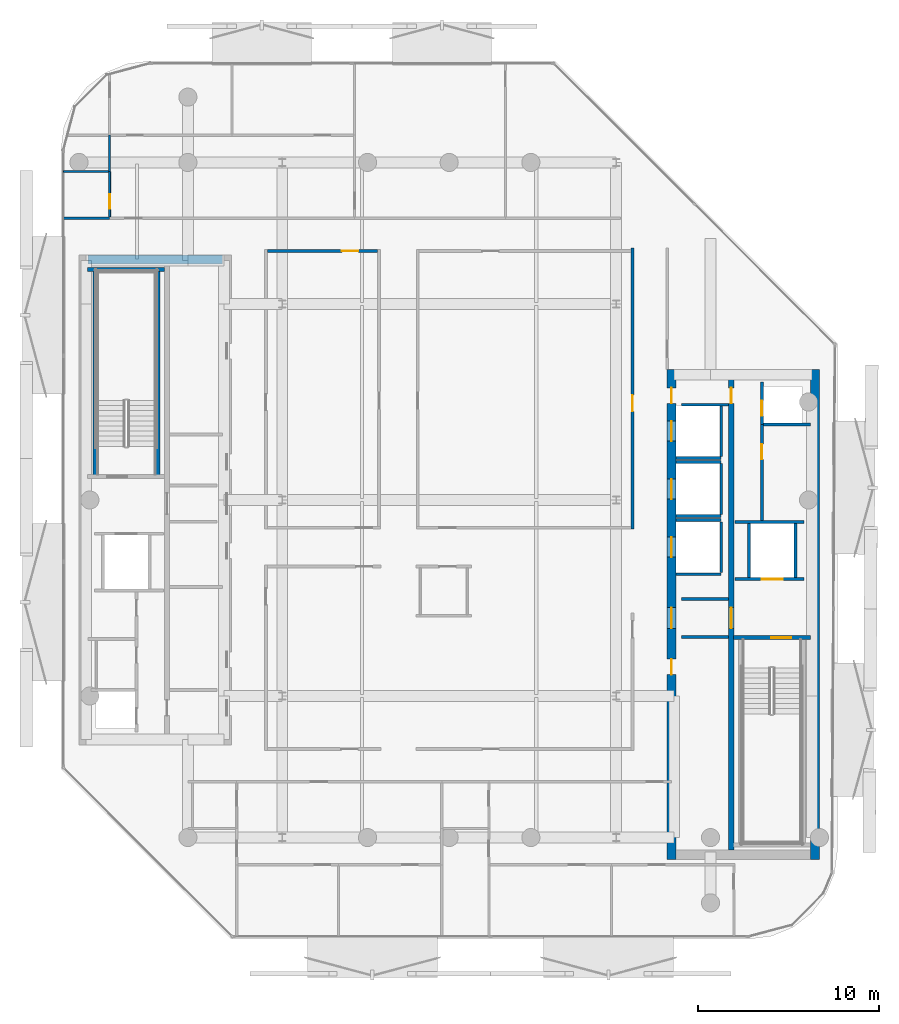
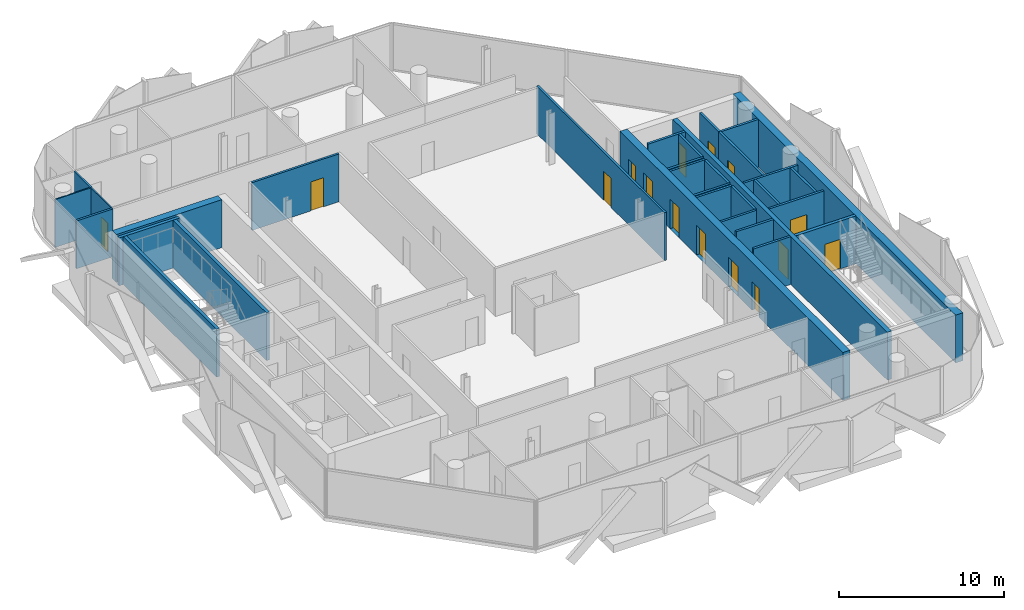
# One storey, part 6 of 16: 32 walls, 15 doors, 15 openings.
"""IFC4 building model written with IfcOpenShell, lengths in metres."""

from ifc_helpers import new_model, si_unit, direction, frame, frame_2d, origin, place, context, subcontext, project, spatial, rectangle, extrude, material, layer, layer_set, type_object, element, fill, save


model = new_model("IFC4")

# Units and contexts
model_context = context("Model", 3, precision=1e-05, world=origin(), true_north=direction((0.0, 1.0)))
body_context = subcontext(model_context, "Body", "Model", "MODEL_VIEW")
ifc_project = project(units=[si_unit("LENGTHUNIT", "METRE"), si_unit("AREAUNIT", "SQUARE_METRE"), si_unit("VOLUMEUNIT", "CUBIC_METRE"), si_unit("PLANEANGLEUNIT", "RADIAN"), si_unit("MASSUNIT", "GRAM", prefix="KILO")], contexts=[model_context])

# Site, building, storey
site_placement = place(None, origin())
site = spatial("IfcSite", under=ifc_project, at=site_placement, CompositionType="ELEMENT")
building_placement = place(site_placement, origin())
building = spatial("IfcBuilding", under=site, at=building_placement, Name="Khairoan Windgate Tower", CompositionType="ELEMENT")
storey_placement = place(building_placement, frame((0.0, 0.0, 311.800048828125)))
storey = spatial("IfcBuildingStorey", under=building, at=storey_placement, Name="L75", CompositionType="ELEMENT", Elevation=311.800048828125)

# Wall
ifc_material_1 = material(Name="Moisture-Resistant Gypsum Partition", Category="gypsum")
ifc_layer_1 = layer(ifc_material_1, 0.10009765625, Name="Moisture-Resistant Gypsum Partition")
ifc_layer_set_1 = layer_set([ifc_layer_1], Name="Moisture-Resistant Gypsum Partition")
wall_type_1 = type_object("IfcWallType", Name="Bathroom Wet-Area Partition Wall", PredefinedType="PARTITIONING", material=ifc_layer_set_1)
wall_1_placement = place(storey_placement, frame((-21.2548828125, 18.10009765625, 0.0), z_axis=(0.0, 0.0, 1.0), x_axis=(1.0, 0.0, 0.0)))
element("IfcWall", 1, at=wall_1_placement, inside=storey, type_object=wall_type_1, Name="L75 Interior Partition 034", PredefinedType="PARTITIONING", context=body_context, shape_type="SweptSolid", body=[
    extrude(rectangle(XDim=2.494873046875, YDim=0.10009765625, at=frame_2d((1.24755859375, 0.0))), origin(), (0.0, 0.0, 1.0), 3.5400390625),
])

# Wall, opening, door
wall_2_placement = place(storey_placement, frame((-18.7099609375, 15.60009765625, 0.0), z_axis=(0.0, 0.0, 1.0), x_axis=(0.0, 1.0, 0.0)))
wall_2 = element("IfcWall", 2, at=wall_2_placement, inside=storey, type_object=wall_type_1, Name="L75 Interior Partition 035", PredefinedType="PARTITIONING", context=body_context, shape_type="SweptSolid", body=[
    extrude(rectangle(XDim=2.5, YDim=0.10009765625, at=frame_2d((1.25, 0.0))), origin(), (0.0, 0.0, 1.0), 3.5400390625),
])
opening_1_placement = place(wall_2_placement, frame((0.4599609375, 0.0, 0.0)))
opening_1 = element("IfcOpeningElement", 3, at=opening_1_placement, cuts=wall_2, Name="Opening ID-BTH", PredefinedType="OPENING", context=body_context, shape_type="SweptSolid", body=[
    extrude(rectangle(XDim=0.800048828125, YDim=2.10009765625, at=frame_2d((0.39990234375, 1.050048828125))), frame((0.0, 0.06005859375, 0.0), z_axis=(0.0, -1.0, 0.0), x_axis=(1.0, 0.0, 0.0)), (0.0, 0.0, 1.0), 0.1201171875),
])
ifc_material_2 = material(Name="Teak Veneer Timber Leaf", Category="wood")
door_type_1 = type_object("IfcDoorType", Name="Internal Bathroom Door ID-BTH 800x2100", OperationType="NOTDEFINED", PredefinedType="DOOR", material=ifc_material_2)
door_1_placement = place(opening_1_placement, origin())
door_1 = element("IfcDoor", 4, at=door_1_placement, inside=storey, type_object=door_type_1, Name="L75 L75-32-L75-34 Door", OperationType="SINGLE_SWING_LEFT", OverallHeight=2.10009765625, OverallWidth=0.800048828125, PredefinedType="DOOR", context=body_context, shape_type="SweptSolid", body=[
    extrude(rectangle(XDim=0.800048828125, YDim=2.10009765625, at=frame_2d((0.39990234375, 1.050048828125))), frame((0.0, 0.02490234375, 0.0), z_axis=(0.0, -1.0, 0.0), x_axis=(1.0, 0.0, 0.0)), (0.0, 0.0, 1.0), 0.050048828125),
])
fill(opening_1, door_1)

# Walls
ifc_material_3 = material(Name="Concrete C40/50", Category="concrete")
ifc_layer_2 = layer(ifc_material_3, 0.159912109375, Name="Concrete C40/50")
ifc_layer_set_2 = layer_set([ifc_layer_2], Name="Concrete C40/50")
wall_type_2 = type_object("IfcWallType", Name="Core and Hoistway Enclosure Wall", PredefinedType="STANDARD", material=ifc_layer_set_2)
wall_3_placement = place(storey_placement, frame((12.5, 2.31005859375, 0.0), z_axis=(0.0, 0.0, 1.0), x_axis=(1.0, 0.0, 0.0)))
element("IfcWall", 5, at=wall_3_placement, inside=storey, type_object=wall_type_2, Name="L75 Lift PL7 Hoistway Divider S", PredefinedType="STANDARD", context=body_context, shape_type="SweptSolid", body=[
    extrude(rectangle(XDim=2.489990234375, YDim=0.159912109375, at=frame_2d((1.2451171875, 0.0))), origin(), (0.0, 0.0, 1.0), 3.5400390625),
])
wall_4_placement = place(storey_placement, frame((14.989990234375, 2.39990234375, 0.0), z_axis=(0.0, 0.0, 1.0), x_axis=(0.0, 1.0, 0.0)))
element("IfcWall", 6, at=wall_4_placement, inside=storey, type_object=wall_type_2, Name="L75 Lift PL7 Hoistway Back Wall", PredefinedType="STANDARD", context=body_context, shape_type="SweptSolid", body=[
    extrude(rectangle(XDim=2.800048828125, YDim=0.159912109375, at=frame_2d((1.39990234375, 0.0))), origin(), (0.0, 0.0, 1.0), 3.5400390625),
])
for number, where, z_axis, x_axis, name in (
    (7, (12.5, -0.889892578125, 0.0), (0.0, 0.0, 1.0), (1.0, 0.0, 0.0), "L75 Lift PL8 Hoistway Divider S"),
    (8, (12.5, 2.090087890625, 0.0), (0.0, 0.0, 1.0), (1.0, 0.0, 0.0), "L75 Lift PL8 Hoistway Divider N"),
):
    element("IfcWall", number, at=place(storey_placement, frame(where, z_axis=z_axis, x_axis=x_axis)), inside=storey, type_object=wall_type_2, Name=name, PredefinedType="STANDARD", context=body_context, shape_type="SweptSolid", body=[
        extrude(rectangle(XDim=2.489990234375, YDim=0.159912109375, at=frame_2d((1.2451171875, 0.0))), origin(), (0.0, 0.0, 1.0), 3.5400390625),
    ])
wall_5_placement = place(storey_placement, frame((14.989990234375, -0.800048828125, 0.0), z_axis=(0.0, 0.0, 1.0), x_axis=(0.0, 1.0, 0.0)))
element("IfcWall", 9, at=wall_5_placement, inside=storey, type_object=wall_type_2, Name="L75 Lift PL8 Hoistway Back Wall", PredefinedType="STANDARD", context=body_context, shape_type="SweptSolid", body=[
    extrude(rectangle(XDim=2.800048828125, YDim=0.159912109375, at=frame_2d((1.39990234375, 0.0))), origin(), (0.0, 0.0, 1.0), 3.5400390625),
])
for number, where, z_axis, x_axis, name in (
    (10, (12.5, -4.090087890625, 0.0), (0.0, 0.0, 1.0), (1.0, 0.0, 0.0), "L75 Lift PL9 Hoistway Divider S"),
    (11, (12.5, -1.110107421875, 0.0), (0.0, 0.0, 1.0), (1.0, 0.0, 0.0), "L75 Lift PL9 Hoistway Divider N"),
):
    element("IfcWall", number, at=place(storey_placement, frame(where, z_axis=z_axis, x_axis=x_axis)), inside=storey, type_object=wall_type_2, Name=name, PredefinedType="STANDARD", context=body_context, shape_type="SweptSolid", body=[
        extrude(rectangle(XDim=2.489990234375, YDim=0.159912109375, at=frame_2d((1.2451171875, 0.0))), origin(), (0.0, 0.0, 1.0), 3.5400390625),
    ])
wall_6_placement = place(storey_placement, frame((14.989990234375, -4.0, 0.0), z_axis=(0.0, 0.0, 1.0), x_axis=(0.0, 1.0, 0.0)))
element("IfcWall", 12, at=wall_6_placement, inside=storey, type_object=wall_type_2, Name="L75 Lift PL9 Hoistway Back Wall", PredefinedType="STANDARD", context=body_context, shape_type="SweptSolid", body=[
    extrude(rectangle(XDim=2.800048828125, YDim=0.159912109375, at=frame_2d((1.39990234375, 0.0))), origin(), (0.0, 0.0, 1.0), 3.5400390625),
])

# Wall, opening, door
wall_7_placement = place(storey_placement, frame((15.75, -4.360107421875, 0.0), z_axis=(0.0, 0.0, 1.0), x_axis=(1.0, 0.0, 0.0)))
wall_7 = element("IfcWall", 13, at=wall_7_placement, inside=storey, type_object=wall_type_2, Name="L75 Core Shaft Wall SW-FL1-L75", PredefinedType="STANDARD", context=body_context, shape_type="SweptSolid", body=[
    extrude(rectangle(XDim=3.800048828125, YDim=0.159912109375, at=frame_2d((1.89990234375, 0.0))), origin(), (0.0, 0.0, 1.0), 3.5400390625),
])
opening_2_placement = place(wall_7_placement, frame((1.469970703125, 0.0, 0.0)))
opening_2 = element("IfcOpeningElement", 14, at=opening_2_placement, cuts=wall_7, Name="Opening LD-FL", PredefinedType="OPENING", context=body_context, shape_type="SweptSolid", body=[
    extrude(rectangle(XDim=1.14990234375, YDim=2.199951171875, at=frame_2d((0.574951171875, 1.10009765625))), frame((0.0, 0.08984375, 0.0), z_axis=(0.0, -1.0, 0.0), x_axis=(1.0, 0.0, 0.0)), (0.0, 0.0, 1.0), 0.179931640625),
])
ifc_material_4 = material(Name="Steel S355", Category="steel")
door_type_2 = type_object("IfcDoorType", Name="Firefighting Lift Sliding Landing Door LD-FL 1150x2200", OperationType="DOUBLE_DOOR_SLIDING", PredefinedType="DOOR", material=ifc_material_4)
door_2_placement = place(opening_2_placement, origin())
door_2 = element("IfcDoor", 15, at=door_2_placement, inside=storey, type_object=door_type_2, Name="L75 Firefighting Lift FL1 Landing Door", OperationType="DOUBLE_DOOR_SLIDING", OverallHeight=2.199951171875, OverallWidth=1.14990234375, PredefinedType="DOOR", context=body_context, shape_type="SweptSolid", body=[
    extrude(rectangle(XDim=1.14990234375, YDim=2.199951171875, at=frame_2d((0.574951171875, 1.10009765625))), frame((0.0, 0.02490234375, 0.0), z_axis=(0.0, -1.0, 0.0), x_axis=(1.0, 0.0, 0.0)), (0.0, 0.0, 1.0), 0.050048828125),
])
fill(opening_2, door_2)

# Walls
wall_8_placement = place(storey_placement, frame((15.75, -1.219970703125, 0.0), z_axis=(0.0, 0.0, 1.0), x_axis=(1.0, 0.0, 0.0)))
element("IfcWall", 16, at=wall_8_placement, inside=storey, type_object=wall_type_2, Name="L75 Core Shaft Wall SW-FL1T-L75", PredefinedType="STANDARD", context=body_context, shape_type="SweptSolid", body=[
    extrude(rectangle(XDim=3.800048828125, YDim=0.159912109375, at=frame_2d((1.89990234375, 0.0))), origin(), (0.0, 0.0, 1.0), 3.5400390625),
])
for number, where, z_axis, x_axis, name in (
    (17, (16.52001953125, -4.280029296875, 0.0), (0.0, 0.0, 1.0), (0.0, 1.0, 0.0), "L75 Core Shaft Wall SW-FL1W-L75"),
    (18, (19.080078125, -4.280029296875, 0.0), (0.0, 0.0, 1.0), (0.0, 1.0, 0.0), "L75 Core Shaft Wall SW-FL1E-L75"),
):
    element("IfcWall", number, at=place(storey_placement, frame(where, z_axis=z_axis, x_axis=x_axis)), inside=storey, type_object=wall_type_2, Name=name, PredefinedType="STANDARD", context=body_context, shape_type="SweptSolid", body=[
        extrude(rectangle(XDim=2.97998046875, YDim=0.159912109375, at=frame_2d((1.489990234375, 0.0))), origin(), (0.0, 0.0, 1.0), 3.5400390625),
    ])
for number, where, z_axis, x_axis, name in (
    (19, (12.800048828125, -5.449951171875, 0.0), (0.0, 0.0, 1.0), (1.0, 0.0, 0.0), "L75 Core Shaft Wall SW-EV1-L75"),
    (20, (12.800048828125, -7.5400390625, 0.0), (0.0, 0.0, 1.0), (1.0, 0.0, 0.0), "L75 Core Shaft Wall SW-EV2-L75"),
    (21, (12.800048828125, 5.25, 0.0), (0.0, 0.0, 1.0), (1.0, 0.0, 0.0), "L75 Core Shaft Wall SW-ESV-L75"),
):
    element("IfcWall", number, at=place(storey_placement, frame(where, z_axis=z_axis, x_axis=x_axis)), inside=storey, type_object=wall_type_2, Name=name, PredefinedType="STANDARD", context=body_context, shape_type="SweptSolid", body=[
        extrude(rectangle(XDim=2.599853515625, YDim=0.159912109375, at=frame_2d((1.2998046875, 0.0))), origin(), (0.0, 0.0, 1.0), 3.5400390625),
    ])
ifc_material_5 = material(Name="Gypsum Stud Partition", Category="gypsum")
ifc_layer_3 = layer(ifc_material_5, 0.1201171875, Name="Gypsum Stud Partition")
ifc_layer_set_3 = layer_set([ifc_layer_3], Name="Gypsum Stud Partition")
wall_type_3 = type_object("IfcWallType", Name="Internal Room Partition Wall", PredefinedType="PARTITIONING", material=ifc_layer_set_3)
wall_9_placement = place(storey_placement, frame((-18.7099609375, 18.10009765625, 0.0), z_axis=(0.0, 0.0, 1.0), x_axis=(0.0, 1.0, 0.0)))
element("IfcWall", 22, at=wall_9_placement, inside=storey, type_object=wall_type_3, Name="L75 Interior Partition 036", PredefinedType="PARTITIONING", context=body_context, shape_type="SweptSolid", body=[
    extrude(rectangle(XDim=2.0, YDim=0.1201171875, at=frame_2d((1.0, 0.0))), origin(), (0.0, 0.0, 1.0), 3.5400390625),
])

# Wall, opening, door
ifc_material_6 = material(Name="Concrete C40/50", Category="concrete")
ifc_layer_4 = layer(ifc_material_6, 0.159912109375, Name="Concrete C40/50")
ifc_layer_set_4 = layer_set([ifc_layer_4], Name="Concrete C40/50")
wall_type_4 = type_object("IfcWallType", Name="Plant and Refuge Compartment Wall", PredefinedType="PARTITIONING", material=ifc_layer_set_4)
wall_10_placement = place(storey_placement, frame((17.22998046875, 4.169921875, 0.0), z_axis=(0.0, 0.0, 1.0), x_axis=(0.0, 1.0, 0.0)))
wall_10 = element("IfcWall", 23, at=wall_10_placement, inside=storey, type_object=wall_type_4, Name="L75 Interior Partition 008", PredefinedType="PARTITIONING", context=body_context, shape_type="SweptSolid", body=[
    extrude(rectangle(XDim=2.320068359375, YDim=0.159912109375, at=frame_2d((1.16015625, 0.0))), origin(), (0.0, 0.0, 1.0), 3.5400390625),
])
opening_3_placement = place(wall_10_placement, frame((0.4599609375, 0.0, 0.0)))
opening_3 = element("IfcOpeningElement", 24, at=opening_3_placement, cuts=wall_10, Name="Opening FD-SRV", PredefinedType="OPENING", context=body_context, shape_type="SweptSolid", body=[
    extrude(rectangle(XDim=0.85009765625, YDim=2.10009765625, at=frame_2d((0.425048828125, 1.050048828125))), frame((0.0, 0.08984375, 0.0), z_axis=(0.0, -1.0, 0.0), x_axis=(1.0, 0.0, 0.0)), (0.0, 0.0, 1.0), 0.179931640625),
])
ifc_material_7 = material(Name="Steel S355", Category="steel")
door_type_3 = type_object("IfcDoorType", Name="Core Service and Riser Fire Door FD-SRV 850x2100", OperationType="NOTDEFINED", PredefinedType="DOOR", material=ifc_material_7)
door_3_placement = place(opening_3_placement, origin())
door_3 = element("IfcDoor", 25, at=door_3_placement, inside=storey, type_object=door_type_3, Name="L75 L75-17-L75-18 Door", OperationType="SINGLE_SWING_LEFT", OverallHeight=2.10009765625, OverallWidth=0.85009765625, PredefinedType="DOOR", context=body_context, shape_type="SweptSolid", body=[
    extrude(rectangle(XDim=0.85009765625, YDim=2.10009765625, at=frame_2d((0.425048828125, 1.050048828125))), frame((0.0, 0.02490234375, 0.0), z_axis=(0.0, -1.0, 0.0), x_axis=(1.0, 0.0, 0.0)), (0.0, 0.0, 1.0), 0.050048828125),
])
fill(opening_3, door_3)

wall_11_placement = place(storey_placement, frame((17.22998046875, -1.139892578125, 0.0), z_axis=(0.0, 0.0, 1.0), x_axis=(0.0, 1.0, 0.0)))
wall_11 = element("IfcWall", 26, at=wall_11_placement, inside=storey, type_object=wall_type_4, Name="L75 Interior Partition 009", PredefinedType="PARTITIONING", context=body_context, shape_type="SweptSolid", body=[
    extrude(rectangle(XDim=5.309814453125, YDim=0.159912109375, at=frame_2d((2.65478515625, 0.0))), origin(), (0.0, 0.0, 1.0), 3.5400390625),
])
opening_4_placement = place(wall_11_placement, frame((3.375244140625, 0.0, 0.0)))
opening_4 = element("IfcOpeningElement", 27, at=opening_4_placement, cuts=wall_11, Name="Opening FD-SRV", PredefinedType="OPENING", context=body_context, shape_type="SweptSolid", body=[
    extrude(rectangle(XDim=0.85009765625, YDim=2.10009765625, at=frame_2d((0.425048828125, 1.050048828125))), frame((0.0, 0.08984375, 0.0), z_axis=(0.0, -1.0, 0.0), x_axis=(1.0, 0.0, 0.0)), (0.0, 0.0, 1.0), 0.179931640625),
])
door_4_placement = place(opening_4_placement, origin())
door_4 = element("IfcDoor", 28, at=door_4_placement, inside=storey, type_object=door_type_3, Name="L75 L75-17-L75-19 Door", OperationType="SINGLE_SWING_RIGHT", OverallHeight=2.10009765625, OverallWidth=0.85009765625, PredefinedType="DOOR", context=body_context, shape_type="SweptSolid", body=[
    extrude(rectangle(XDim=0.85009765625, YDim=2.10009765625, at=frame_2d((0.425048828125, 1.050048828125))), frame((0.0, 0.02490234375, 0.0), z_axis=(0.0, -1.0, 0.0), x_axis=(1.0, 0.0, 0.0)), (0.0, 0.0, 1.0), 0.050048828125),
])
fill(opening_4, door_4)

# Wall
wall_12_placement = place(storey_placement, frame((17.31005859375, 4.169921875, 0.0), z_axis=(0.0, 0.0, 1.0), x_axis=(1.0, 0.0, 0.0)))
element("IfcWall", 29, at=wall_12_placement, inside=storey, type_object=wall_type_4, Name="L75 Interior Partition 010", PredefinedType="PARTITIONING", context=body_context, shape_type="SweptSolid", body=[
    extrude(rectangle(XDim=2.58984375, YDim=0.159912109375, at=frame_2d((1.294921875, 0.0))), origin(), (0.0, 0.0, 1.0), 3.5400390625),
])

# Wall, opening, door
ifc_material_8 = material(Name="Acoustic Fire-Rated Gypsum Partition", Category="gypsum")
ifc_layer_5 = layer(ifc_material_8, 0.14990234375, Name="Acoustic Fire-Rated Gypsum Partition")
ifc_layer_set_5 = layer_set([ifc_layer_5], Name="Acoustic Fire-Rated Gypsum Partition")
wall_type_5 = type_object("IfcWallType", Name="Rated Corridor Partition Wall", PredefinedType="PARTITIONING", material=ifc_layer_set_5)
wall_13_placement = place(storey_placement, frame((10.10009765625, -1.610107421875, 0.0), z_axis=(0.0, 0.0, 1.0), x_axis=(0.0, 1.0, 0.0)))
wall_13 = element("IfcWall", 30, at=wall_13_placement, inside=storey, type_object=wall_type_5, Name="L75 Interior Partition 014", PredefinedType="PARTITIONING", context=body_context, shape_type="SweptSolid", body=[
    extrude(rectangle(XDim=15.489990234375, YDim=0.14990234375, at=frame_2d((7.7451171875, 0.0))), origin(), (0.0, 0.0, 1.0), 3.5400390625),
])
opening_5_placement = place(wall_13_placement, frame((6.490966796875, 0.0, 0.0)))
opening_5 = element("IfcOpeningElement", 31, at=opening_5_placement, cuts=wall_13, Name="Opening FD-ENT", PredefinedType="OPENING", context=body_context, shape_type="SweptSolid", body=[
    extrude(rectangle(XDim=0.89990234375, YDim=2.14990234375, at=frame_2d((0.449951171875, 1.074951171875))), frame((0.0, 0.0849609375, 0.0), z_axis=(0.0, -1.0, 0.0), x_axis=(1.0, 0.0, 0.0)), (0.0, 0.0, 1.0), 0.169921875),
])
ifc_material_9 = material(Name="Timber Fire-Rated Core", Category="wood")
door_type_4 = type_object("IfcDoorType", Name="Unit and Office Fire Entrance Door FD-ENT 900x2150", OperationType="NOTDEFINED", PredefinedType="DOOR", material=ifc_material_9)
door_5_placement = place(opening_5_placement, origin())
door_5 = element("IfcDoor", 32, at=door_5_placement, inside=storey, type_object=door_type_4, Name="L75 L75-27-L75-53 Door", OperationType="SINGLE_SWING_RIGHT", OverallHeight=2.14990234375, OverallWidth=0.89990234375, PredefinedType="DOOR", context=body_context, shape_type="SweptSolid", body=[
    extrude(rectangle(XDim=0.89990234375, YDim=2.14990234375, at=frame_2d((0.449951171875, 1.074951171875))), frame((0.0, 0.02490234375, 0.0), z_axis=(0.0, -1.0, 0.0), x_axis=(1.0, 0.0, 0.0)), (0.0, 0.0, 1.0), 0.050048828125),
])
fill(opening_5, door_5)

# Wall
wall_14_placement = place(storey_placement, frame((-21.2548828125, 15.52490234375, 0.0), z_axis=(0.0, 0.0, 1.0), x_axis=(1.0, 0.0, 0.0)))
element("IfcWall", 33, at=wall_14_placement, inside=storey, type_object=wall_type_5, Name="L75 Interior Partition 022", PredefinedType="PARTITIONING", context=body_context, shape_type="SweptSolid", body=[
    extrude(rectangle(XDim=2.544921875, YDim=0.14990234375, at=frame_2d((1.2724609375, 0.0))), origin(), (0.0, 0.0, 1.0), 3.5400390625),
])

# Wall, opening, door
wall_15_placement = place(storey_placement, frame((-10.02490234375, 13.719970703125, 0.0), z_axis=(0.0, 0.0, 1.0), x_axis=(1.0, 0.0, 0.0)))
wall_15 = element("IfcWall", 34, at=wall_15_placement, inside=storey, type_object=wall_type_5, Name="L75 Interior Partition 026", PredefinedType="PARTITIONING", context=body_context, shape_type="SweptSolid", body=[
    extrude(rectangle(XDim=6.0849609375, YDim=0.14990234375, at=frame_2d((3.04248046875, 0.0))), origin(), (0.0, 0.0, 1.0), 3.5400390625),
])
opening_6_placement = place(wall_15_placement, frame((4.11572265625, 0.0, 0.0)))
opening_6 = element("IfcOpeningElement", 35, at=opening_6_placement, cuts=wall_15, Name="Opening FD-ENT", PredefinedType="OPENING", context=body_context, shape_type="SweptSolid", body=[
    extrude(rectangle(XDim=0.89990234375, YDim=2.14990234375, at=frame_2d((0.449951171875, 1.074951171875))), frame((0.0, 0.0849609375, 0.0), z_axis=(0.0, -1.0, 0.0), x_axis=(1.0, 0.0, 0.0)), (0.0, 0.0, 1.0), 0.169921875),
])
door_6_placement = place(opening_6_placement, origin())
door_6 = element("IfcDoor", 36, at=door_6_placement, inside=storey, type_object=door_type_4, Name="L75 L75-30-L75-51 Door", OperationType="SINGLE_SWING_LEFT", OverallHeight=2.14990234375, OverallWidth=0.89990234375, PredefinedType="DOOR", context=body_context, shape_type="SweptSolid", body=[
    extrude(rectangle(XDim=0.89990234375, YDim=2.14990234375, at=frame_2d((0.449951171875, 1.074951171875))), frame((0.0, 0.02490234375, 0.0), z_axis=(0.0, -1.0, 0.0), x_axis=(1.0, 0.0, 0.0)), (0.0, 0.0, 1.0), 0.050048828125),
])
fill(opening_6, door_6)

# Wall, openings, doors
ifc_material_10 = material(Name="Concrete C50/60", Category="concrete")
ifc_layer_6 = layer(ifc_material_10, 0.5, Name="Concrete C50/60")
ifc_layer_set_6 = layer_set([ifc_layer_6], Name="Concrete C50/60")
wall_type_6 = type_object("IfcWallType", Name="Shear Wall CW-E3 500mm", PredefinedType="SHEAR", material=ifc_layer_set_6)
wall_16_placement = place(storey_placement, frame((12.25, -19.800048828125, 0.0), z_axis=(0.0, 0.0, 1.0), x_axis=(0.0, 1.0, 0.0)))
wall_16 = element("IfcWall", 37, at=wall_16_placement, inside=storey, type_object=wall_type_6, Name="E Core West Shear Wall L75", PredefinedType="SHEAR", context=body_context, shape_type="SweptSolid", body=[
    extrude(rectangle(XDim=27.0, YDim=0.5, at=frame_2d((13.5, 0.0))), origin(), (0.0, 0.0, 1.0), 3.5400390625),
])
opening_7_placement = place(wall_16_placement, frame((23.050048828125, 0.0, 0.0)))
opening_7 = element("IfcOpeningElement", 38, at=opening_7_placement, cuts=wall_16, Name="Opening LD-PL", PredefinedType="OPENING", context=body_context, shape_type="SweptSolid", body=[
    extrude(rectangle(XDim=1.10009765625, YDim=2.199951171875, at=frame_2d((0.550048828125, 1.10009765625))), frame((0.0, 0.260009765625, 0.0), z_axis=(0.0, -1.0, 0.0), x_axis=(1.0, 0.0, 0.0)), (0.0, 0.0, 1.0), 0.52001953125),
])
opening_8_placement = place(wall_16_placement, frame((19.85009765625, 0.0, 0.0)))
opening_8 = element("IfcOpeningElement", 39, at=opening_8_placement, cuts=wall_16, Name="Opening LD-PL", PredefinedType="OPENING", context=body_context, shape_type="SweptSolid", body=[
    extrude(rectangle(XDim=1.10009765625, YDim=2.199951171875, at=frame_2d((0.550048828125, 1.10009765625))), frame((0.0, 0.260009765625, 0.0), z_axis=(0.0, -1.0, 0.0), x_axis=(1.0, 0.0, 0.0)), (0.0, 0.0, 1.0), 0.52001953125),
])
opening_9_placement = place(wall_16_placement, frame((16.64990234375, 0.0, 0.0)))
opening_9 = element("IfcOpeningElement", 40, at=opening_9_placement, cuts=wall_16, Name="Opening LD-PL", PredefinedType="OPENING", context=body_context, shape_type="SweptSolid", body=[
    extrude(rectangle(XDim=1.10009765625, YDim=2.199951171875, at=frame_2d((0.550048828125, 1.10009765625))), frame((0.0, 0.260009765625, 0.0), z_axis=(0.0, -1.0, 0.0), x_axis=(1.0, 0.0, 0.0)), (0.0, 0.0, 1.0), 0.52001953125),
])
opening_10_placement = place(wall_16_placement, frame((10.175048828125, 0.0, 0.0)))
opening_10 = element("IfcOpeningElement", 41, at=opening_10_placement, cuts=wall_16, Name="Opening FD-SRV", PredefinedType="OPENING", context=body_context, shape_type="SweptSolid", body=[
    extrude(rectangle(XDim=0.85009765625, YDim=2.10009765625, at=frame_2d((0.425048828125, 1.050048828125))), frame((0.0, 0.260009765625, 0.0), z_axis=(0.0, -1.0, 0.0), x_axis=(1.0, 0.0, 0.0)), (0.0, 0.0, 1.0), 0.52001953125),
])
opening_11_placement = place(wall_16_placement, frame((12.72509765625, 0.0, 0.0)))
opening_11 = element("IfcOpeningElement", 42, at=opening_11_placement, cuts=wall_16, Name="Opening FD-FFL", PredefinedType="OPENING", context=body_context, shape_type="SweptSolid", body=[
    extrude(rectangle(XDim=1.14990234375, YDim=2.199951171875, at=frame_2d((0.574951171875, 1.10009765625))), frame((0.0, 0.260009765625, 0.0), z_axis=(0.0, -1.0, 0.0), x_axis=(1.0, 0.0, 0.0)), (0.0, 0.0, 1.0), 0.52001953125),
])
opening_12_placement = place(wall_16_placement, frame((25.125, 0.0, 0.0)))
opening_12 = element("IfcOpeningElement", 43, at=opening_12_placement, cuts=wall_16, Name="Opening FD-SRV", PredefinedType="OPENING", context=body_context, shape_type="SweptSolid", body=[
    extrude(rectangle(XDim=0.85009765625, YDim=2.10009765625, at=frame_2d((0.425048828125, 1.050048828125))), frame((0.0, 0.260009765625, 0.0), z_axis=(0.0, -1.0, 0.0), x_axis=(1.0, 0.0, 0.0)), (0.0, 0.0, 1.0), 0.52001953125),
])
door_7_placement = place(opening_10_placement, origin())
door_7 = element("IfcDoor", 44, at=door_7_placement, inside=storey, type_object=door_type_3, Name="L75 East Core Service Room Door 1", OperationType="SINGLE_SWING_LEFT", OverallHeight=2.10009765625, OverallWidth=0.85009765625, PredefinedType="DOOR", context=body_context, shape_type="SweptSolid", body=[
    extrude(rectangle(XDim=0.85009765625, YDim=2.10009765625, at=frame_2d((0.425048828125, 1.050048828125))), frame((0.0, 0.02490234375, 0.0), z_axis=(0.0, -1.0, 0.0), x_axis=(1.0, 0.0, 0.0)), (0.0, 0.0, 1.0), 0.050048828125),
])
fill(opening_10, door_7)
door_8_placement = place(opening_12_placement, origin())
door_8 = element("IfcDoor", 45, at=door_8_placement, inside=storey, type_object=door_type_3, Name="L75 East Core Service Vestibule Outer Door", OperationType="SINGLE_SWING_RIGHT", OverallHeight=2.10009765625, OverallWidth=0.85009765625, PredefinedType="DOOR", context=body_context, shape_type="SweptSolid", body=[
    extrude(rectangle(XDim=0.85009765625, YDim=2.10009765625, at=frame_2d((0.425048828125, 1.050048828125))), frame((0.0, 0.02490234375, 0.0), z_axis=(0.0, -1.0, 0.0), x_axis=(1.0, 0.0, 0.0)), (0.0, 0.0, 1.0), 0.050048828125),
])
fill(opening_12, door_8)
ifc_material_11 = material(Name="Steel S355", Category="steel")
door_type_5 = type_object("IfcDoorType", Name="Firefighting Lobby Fire Door FD-FFL 1150x2200", OperationType="NOTDEFINED", PredefinedType="DOOR", material=ifc_material_11)
door_9_placement = place(opening_11_placement, origin())
door_9 = element("IfcDoor", 46, at=door_9_placement, inside=storey, type_object=door_type_5, Name="L75 East Core Vestibule Entry Door", OperationType="SINGLE_SWING_RIGHT", OverallHeight=2.199951171875, OverallWidth=1.14990234375, PredefinedType="DOOR", context=body_context, shape_type="SweptSolid", body=[
    extrude(rectangle(XDim=1.14990234375, YDim=2.199951171875, at=frame_2d((0.574951171875, 1.10009765625))), frame((0.0, 0.02490234375, 0.0), z_axis=(0.0, -1.0, 0.0), x_axis=(1.0, 0.0, 0.0)), (0.0, 0.0, 1.0), 0.050048828125),
])
fill(opening_11, door_9)
ifc_material_12 = material(Name="Anodised Bronze Aluminium 6063-T6", Category="aluminium")
door_type_6 = type_object("IfcDoorType", Name="Passenger Lift Sliding Landing Door LD-PL 1100x2200", OperationType="DOUBLE_DOOR_SLIDING", PredefinedType="DOOR", material=ifc_material_12)
door_10_placement = place(opening_7_placement, origin())
door_10 = element("IfcDoor", 47, at=door_10_placement, inside=storey, type_object=door_type_6, Name="L75 Lift PL7 Sliding Landing Door", OperationType="DOUBLE_DOOR_SLIDING", OverallHeight=2.199951171875, OverallWidth=1.10009765625, PredefinedType="DOOR", context=body_context, shape_type="SweptSolid", body=[
    extrude(rectangle(XDim=1.10009765625, YDim=2.199951171875, at=frame_2d((0.550048828125, 1.10009765625))), frame((0.0, 0.02490234375, 0.0), z_axis=(0.0, -1.0, 0.0), x_axis=(1.0, 0.0, 0.0)), (0.0, 0.0, 1.0), 0.050048828125),
])
fill(opening_7, door_10)
door_11_placement = place(opening_8_placement, origin())
door_11 = element("IfcDoor", 48, at=door_11_placement, inside=storey, type_object=door_type_6, Name="L75 Lift PL8 Sliding Landing Door", OperationType="DOUBLE_DOOR_SLIDING", OverallHeight=2.199951171875, OverallWidth=1.10009765625, PredefinedType="DOOR", context=body_context, shape_type="SweptSolid", body=[
    extrude(rectangle(XDim=1.10009765625, YDim=2.199951171875, at=frame_2d((0.550048828125, 1.10009765625))), frame((0.0, 0.02490234375, 0.0), z_axis=(0.0, -1.0, 0.0), x_axis=(1.0, 0.0, 0.0)), (0.0, 0.0, 1.0), 0.050048828125),
])
fill(opening_8, door_11)
door_12_placement = place(opening_9_placement, origin())
door_12 = element("IfcDoor", 49, at=door_12_placement, inside=storey, type_object=door_type_6, Name="L75 Lift PL9 Sliding Landing Door", OperationType="DOUBLE_DOOR_SLIDING", OverallHeight=2.199951171875, OverallWidth=1.10009765625, PredefinedType="DOOR", context=body_context, shape_type="SweptSolid", body=[
    extrude(rectangle(XDim=1.10009765625, YDim=2.199951171875, at=frame_2d((0.550048828125, 1.10009765625))), frame((0.0, 0.02490234375, 0.0), z_axis=(0.0, -1.0, 0.0), x_axis=(1.0, 0.0, 0.0)), (0.0, 0.0, 1.0), 0.050048828125),
])
fill(opening_9, door_12)

# Walls
wall_17_placement = place(storey_placement, frame((20.14990234375, -19.800048828125, 0.0), z_axis=(0.0, 0.0, 1.0), x_axis=(0.0, 1.0, 0.0)))
element("IfcWall", 50, at=wall_17_placement, inside=storey, type_object=wall_type_6, Name="E Core East Shear Wall L75", PredefinedType="SHEAR", context=body_context, shape_type="SweptSolid", body=[
    extrude(rectangle(XDim=27.0, YDim=0.5, at=frame_2d((13.5, 0.0))), origin(), (0.0, 0.0, 1.0), 3.5400390625),
])
ifc_material_13 = material(Name="Concrete C50/60", Category="concrete")
ifc_layer_7 = layer(ifc_material_13, 0.5, Name="Concrete C50/60")
ifc_layer_set_7 = layer_set([ifc_layer_7], Name="Concrete C50/60")
wall_type_7 = type_object("IfcWallType", Name="Shear Wall CW-W3 500mm", PredefinedType="SHEAR", material=ifc_layer_set_7)
wall_18_placement = place(storey_placement, frame((-19.89990234375, 13.25, 0.0), z_axis=(0.0, 0.0, 1.0), x_axis=(1.0, 0.0, 0.0)))
element("IfcWall", 51, at=wall_18_placement, inside=storey, type_object=wall_type_7, Name="W Core North Shear Wall L75", PredefinedType="SHEAR", context=body_context, shape_type="SweptSolid", body=[
    extrude(rectangle(XDim=7.39990234375, YDim=0.5, at=frame_2d((3.699951171875, 0.0))), origin(), (0.0, 0.0, 1.0), 3.5400390625),
])

# Wall, openings, doors
ifc_material_14 = material(Name="Concrete C50/60", Category="concrete")
ifc_layer_8 = layer(ifc_material_14, 0.300048828125, Name="Concrete C50/60")
ifc_layer_set_8 = layer_set([ifc_layer_8], Name="Concrete C50/60")
wall_type_8 = type_object("IfcWallType", Name="Shear Wall SW-2 300mm", PredefinedType="SHEAR", material=ifc_layer_set_8)
wall_19_placement = place(storey_placement, frame((15.550048828125, -19.300048828125, 0.0), z_axis=(0.0, 0.0, 1.0), x_axis=(0.0, 1.0, 0.0)))
wall_19 = element("IfcWall", 52, at=wall_19_placement, inside=storey, type_object=wall_type_8, Name="E Core Spine Shear Wall L75", PredefinedType="SHEAR", context=body_context, shape_type="SweptSolid", body=[
    extrude(rectangle(XDim=26.0, YDim=0.300048828125, at=frame_2d((13.0, 0.0))), origin(), (0.0, 0.0, 1.0), 3.5400390625),
])
opening_13_placement = place(wall_19_placement, frame((12.22509765625, 0.0, 0.0)))
opening_13 = element("IfcOpeningElement", 53, at=opening_13_placement, cuts=wall_19, Name="Opening FD-FFL", PredefinedType="OPENING", context=body_context, shape_type="SweptSolid", body=[
    extrude(rectangle(XDim=1.14990234375, YDim=2.199951171875, at=frame_2d((0.574951171875, 1.10009765625))), frame((0.0, 0.159912109375, 0.0), z_axis=(0.0, -1.0, 0.0), x_axis=(1.0, 0.0, 0.0)), (0.0, 0.0, 1.0), 0.320068359375),
])
opening_14_placement = place(wall_19_placement, frame((24.625, 0.0, 0.0)))
opening_14 = element("IfcOpeningElement", 54, at=opening_14_placement, cuts=wall_19, Name="Opening FD-SRV", PredefinedType="OPENING", context=body_context, shape_type="SweptSolid", body=[
    extrude(rectangle(XDim=0.85009765625, YDim=2.10009765625, at=frame_2d((0.425048828125, 1.050048828125))), frame((0.0, 0.159912109375, 0.0), z_axis=(0.0, -1.0, 0.0), x_axis=(1.0, 0.0, 0.0)), (0.0, 0.0, 1.0), 0.320068359375),
])
door_13_placement = place(opening_14_placement, origin())
door_13 = element("IfcDoor", 55, at=door_13_placement, inside=storey, type_object=door_type_3, Name="L75 East Core Service Passage Inner Door", OperationType="SINGLE_SWING_LEFT", OverallHeight=2.10009765625, OverallWidth=0.85009765625, PredefinedType="DOOR", context=body_context, shape_type="SweptSolid", body=[
    extrude(rectangle(XDim=0.85009765625, YDim=2.10009765625, at=frame_2d((0.425048828125, 1.050048828125))), frame((0.0, 0.02490234375, 0.0), z_axis=(0.0, -1.0, 0.0), x_axis=(1.0, 0.0, 0.0)), (0.0, 0.0, 1.0), 0.050048828125),
])
fill(opening_14, door_13)
door_14_placement = place(opening_13_placement, origin())
door_14 = element("IfcDoor", 56, at=door_14_placement, inside=storey, type_object=door_type_5, Name="L75 East Firefighting Lobby Fire Door", OperationType="SINGLE_SWING_LEFT", OverallHeight=2.199951171875, OverallWidth=1.14990234375, PredefinedType="DOOR", context=body_context, shape_type="SweptSolid", body=[
    extrude(rectangle(XDim=1.14990234375, YDim=2.199951171875, at=frame_2d((0.574951171875, 1.10009765625))), frame((0.0, 0.02490234375, 0.0), z_axis=(0.0, -1.0, 0.0), x_axis=(1.0, 0.0, 0.0)), (0.0, 0.0, 1.0), 0.050048828125),
])
fill(opening_13, door_14)

# Wall, opening, door
ifc_material_15 = material(Name="Concrete C50/60", Category="concrete")
ifc_layer_9 = layer(ifc_material_15, 0.219970703125, Name="Concrete C50/60")
ifc_layer_set_9 = layer_set([ifc_layer_9], Name="Concrete C50/60")
wall_type_9 = type_object("IfcWallType", Name="Shear Wall SW-ST 220mm", PredefinedType="SHEAR", material=ifc_layer_set_9)
wall_20_placement = place(storey_placement, frame((19.919921875, -7.590087890625, 0.0), z_axis=(0.0, 0.0, 1.0), x_axis=(-1.0, 0.0, 0.0)))
wall_20 = element("IfcWall", 57, at=wall_20_placement, inside=storey, type_object=wall_type_9, Name="L75 Stair ST1 North Bearing Wall", PredefinedType="SHEAR", context=body_context, shape_type="SweptSolid", body=[
    extrude(rectangle(XDim=4.239990234375, YDim=0.219970703125, at=frame_2d((2.1201171875, 0.0))), origin(), (0.0, 0.0, 1.0), 3.5400390625),
])
opening_15_placement = place(wall_20_placement, frame((1.080078125, 0.0, 0.0)))
opening_15 = element("IfcOpeningElement", 58, at=opening_15_placement, cuts=wall_20, Name="Opening FD-ST", PredefinedType="OPENING", context=body_context, shape_type="SweptSolid", body=[
    extrude(rectangle(XDim=1.10009765625, YDim=2.199951171875, at=frame_2d((0.550048828125, 1.10009765625))), frame((0.0, 0.119873046875, 0.0), z_axis=(0.0, -1.0, 0.0), x_axis=(1.0, 0.0, 0.0)), (0.0, 0.0, 1.0), 0.239990234375),
])
ifc_material_16 = material(Name="Steel S355", Category="steel")
door_type_7 = type_object("IfcDoorType", Name="Smokeproof Stair Fire Door FD-ST 1100x2200", OperationType="NOTDEFINED", PredefinedType="DOOR", material=ifc_material_16)
door_15_placement = place(opening_15_placement, origin())
door_15 = element("IfcDoor", 59, at=door_15_placement, inside=storey, type_object=door_type_7, Name="L75 Stair ST1 Fire Door", OperationType="SINGLE_SWING_LEFT", OverallHeight=2.199951171875, OverallWidth=1.10009765625, PredefinedType="DOOR", context=body_context, shape_type="SweptSolid", body=[
    extrude(rectangle(XDim=1.10009765625, YDim=2.199951171875, at=frame_2d((0.550048828125, 1.10009765625))), frame((0.0, 0.02490234375, 0.0), z_axis=(0.0, -1.0, 0.0), x_axis=(1.0, 0.0, 0.0)), (0.0, 0.0, 1.0), 0.050048828125),
])
fill(opening_15, door_15)

# Walls
for number, where, z_axis, x_axis, name in (
    (60, (-16.0400390625, 1.2900390625, 0.0), (0.0, 0.0, 1.0), (0.0, 1.0, 0.0), "L75 Stair ST2 East Bearing Wall"),
    (61, (-19.530029296875, 1.2900390625, 0.0), (0.0, 0.0, 1.0), (0.0, 1.0, 0.0), "L75 Stair ST2 West Bearing Wall"),
):
    element("IfcWall", number, at=place(storey_placement, frame(where, z_axis=z_axis, x_axis=x_axis)), inside=storey, type_object=wall_type_9, Name=name, PredefinedType="SHEAR", context=body_context, shape_type="SweptSolid", body=[
        extrude(rectangle(XDim=11.419921875, YDim=0.219970703125, at=frame_2d((5.7099609375, 0.0))), origin(), (0.0, 0.0, 1.0), 3.5400390625),
    ])
wall_21_placement = place(storey_placement, frame((-19.919921875, 12.7099609375, 0.0), z_axis=(0.0, 0.0, 1.0), x_axis=(1.0, 0.0, 0.0)))
element("IfcWall", 62, at=wall_21_placement, inside=storey, type_object=wall_type_9, Name="L75 Stair ST2 North Bearing Wall", PredefinedType="SHEAR", context=body_context, shape_type="SweptSolid", body=[
    extrude(rectangle(XDim=4.239990234375, YDim=0.219970703125, at=frame_2d((2.1201171875, 0.0))), origin(), (0.0, 0.0, 1.0), 3.5400390625),
])

save(model, "model.ifc")
